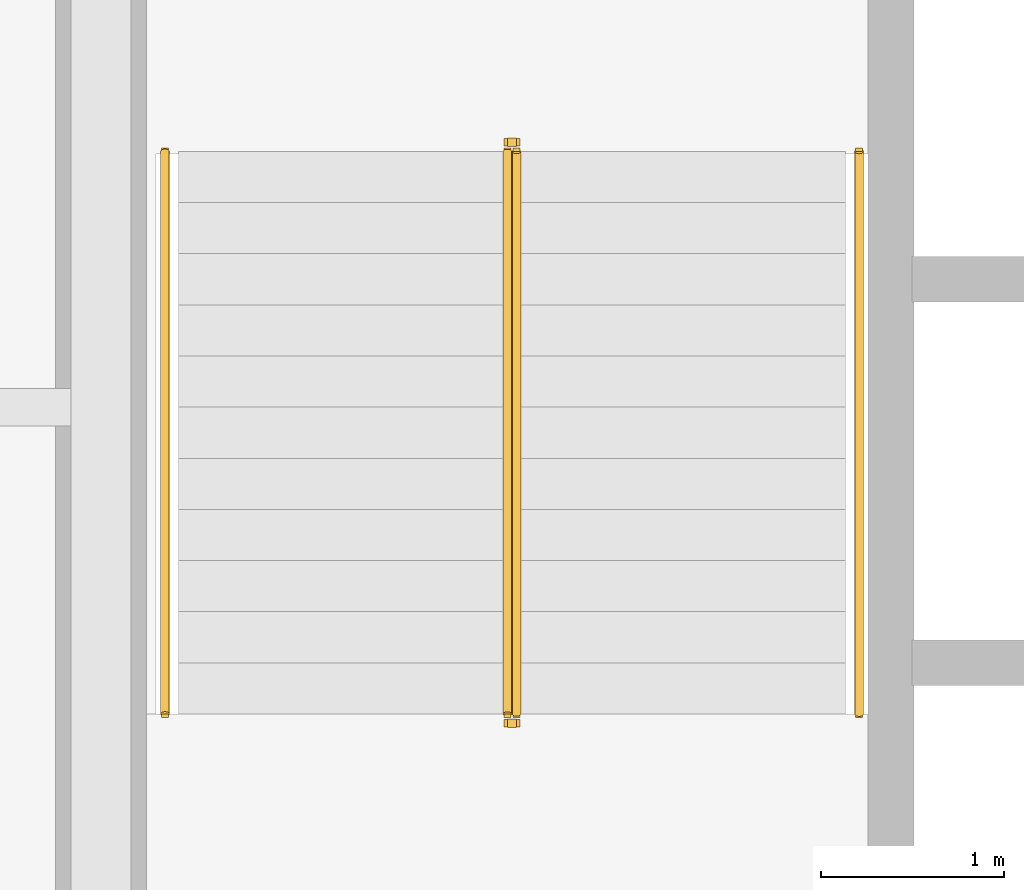
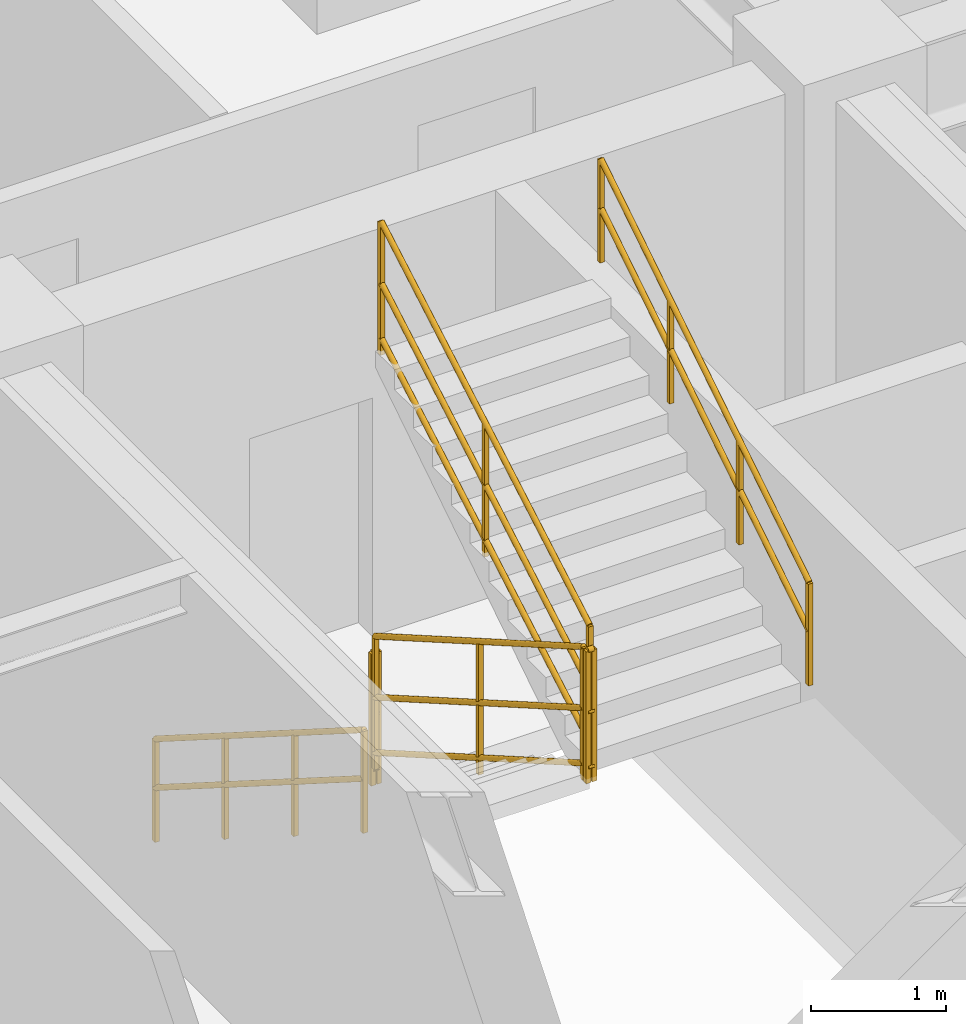
# One storey, part 10 of 10: 6 railings.
"""IFC4 building model written with IfcOpenShell, lengths in metres."""

from ifc_helpers import new_model, entity, si_unit, converted_unit, direction, frame, origin_with_axes, origin_2d_with_axis, place, context, subcontext, project, spatial, rectangle, circle, extrude, material, type_object, element, save


model = new_model("IFC4")

# Units and contexts
model_context = context("Model", 3, precision=1e-05, world=origin_with_axes(), true_north=direction((0.0, 1.0)))
body_context = subcontext(model_context, "Body", "Model", "MODEL_VIEW")
ifc_project = project(units=[si_unit("LENGTHUNIT", "METRE"), si_unit("AREAUNIT", "SQUARE_METRE"), si_unit("VOLUMEUNIT", "CUBIC_METRE"), converted_unit("PLANEANGLEUNIT", "DEGREE", entity("IfcPlaneAngleMeasure", 0.017453292519943295), si_unit("PLANEANGLEUNIT", "RADIAN"), dimensions=[0, 0, 0, 0, 0, 0, 0]), si_unit("MASSUNIT", "GRAM", prefix="KILO"), si_unit("THERMODYNAMICTEMPERATUREUNIT", "KELVIN")], contexts=[model_context])

# Site, building, storey
site_placement = place(None, origin_with_axes())
site = spatial("IfcSite", under=ifc_project, at=site_placement, CompositionType="ELEMENT")
building_placement = place(site_placement, origin_with_axes())
building = spatial("IfcBuilding", under=site, at=building_placement, Name="Varnlund Millrace Tower", CompositionType="ELEMENT")
storey_placement = place(building_placement, frame((0.0, 0.0, 152.4), z_axis=(0.0, 0.0, 1.0), x_axis=(1.0, 0.0, 0.0)))
storey = spatial("IfcBuildingStorey", under=building, at=storey_placement, Name="L37", CompositionType="ELEMENT", Elevation=152.4)

# Railings
ifc_material_1 = material(Name="Painted steel stair well balustrade guard", Category="steel")
railing_type_1 = type_object("IfcRailingType", Name="Type-StairGuard-1150", PredefinedType="GUARDRAIL", material=ifc_material_1)
railing_1_placement = place(storey_placement, frame((0.0, 0.0, -152.4), z_axis=(0.0, 0.0, 1.0), x_axis=(1.0, 0.0, 0.0)))
element("IfcRailing", 1, at=railing_1_placement, inside=storey, type_object=railing_type_1, Name="Type-StairGuard-1150", PredefinedType="GUARDRAIL", context=body_context, shape_type="SweptSolid", body=[
    extrude(circle(Radius=0.024, at=origin_2d_with_axis()), frame((13.625, 35.9, 153.727273), z_axis=(0.0, -0.866696, 0.498836), x_axis=(1.0, 0.0, 0.0)), (0.0, 0.0, 1.0), 3.553725),
    extrude(circle(Radius=0.024, at=origin_2d_with_axis()), frame((13.625, 35.9, 152.677273), z_axis=(0.0, -0.866696, 0.498836), x_axis=(1.0, 0.0, 0.0)), (0.0, 0.0, 1.0), 3.553725),
    extrude(circle(Radius=0.024, at=origin_2d_with_axis()), frame((13.625, 35.9, 153.175273), z_axis=(0.0, -0.866696, 0.498836), x_axis=(1.0, 0.0, 0.0)), (0.0, 0.0, 1.0), 3.553725),
    extrude(rectangle(XDim=0.04, YDim=0.04, at=origin_2d_with_axis()), frame((13.625, 35.9, 152.537273), z_axis=(0.0, 0.0, 1.0), x_axis=(1.0, 0.0, 0.0)), (0.0, 0.0, 1.0), 1.19),
    extrude(rectangle(XDim=0.04, YDim=0.04, at=origin_2d_with_axis()), frame((13.625, 34.36, 153.423637), z_axis=(0.0, 0.0, 1.0), x_axis=(1.0, 0.0, 0.0)), (0.0, 0.0, 1.0), 1.19),
    extrude(rectangle(XDim=0.04, YDim=0.04, at=origin_2d_with_axis()), frame((13.625, 32.82, 154.31), z_axis=(0.0, 0.0, 1.0), x_axis=(1.0, 0.0, 0.0)), (0.0, 0.0, 1.0), 1.19),
])
railing_2_placement = place(storey_placement, frame((0.0, 0.0, -152.4), z_axis=(0.0, 0.0, 1.0), x_axis=(1.0, 0.0, 0.0)))
element("IfcRailing", 2, at=railing_2_placement, inside=storey, type_object=railing_type_1, Name="Type-StairGuard-1150", PredefinedType="GUARDRAIL", context=body_context, shape_type="SweptSolid", body=[
    extrude(circle(Radius=0.024, at=origin_2d_with_axis()), frame((13.675, 32.77, 155.5), z_axis=(-1.0, 0.0, 0.0), x_axis=(0.0, -1.0, 0.0)), (0.0, 0.0, 1.0), 0.05),
    extrude(circle(Radius=0.024, at=origin_2d_with_axis()), frame((13.675, 32.77, 154.45), z_axis=(-1.0, 0.0, 0.0), x_axis=(0.0, -1.0, 0.0)), (0.0, 0.0, 1.0), 0.05),
    extrude(circle(Radius=0.024, at=origin_2d_with_axis()), frame((13.675, 32.77, 154.948), z_axis=(-1.0, 0.0, 0.0), x_axis=(0.0, -1.0, 0.0)), (0.0, 0.0, 1.0), 0.05),
    extrude(rectangle(XDim=0.04, YDim=0.04, at=origin_2d_with_axis()), frame((13.675, 32.77, 154.31), z_axis=(0.0, 0.0, 1.0), x_axis=(1.0, 0.0, 0.0)), (0.0, 0.0, 1.0), 1.19),
    extrude(rectangle(XDim=0.04, YDim=0.04, at=origin_2d_with_axis()), frame((13.625, 32.77, 154.31), z_axis=(0.0, 0.0, 1.0), x_axis=(1.0, 0.0, 0.0)), (0.0, 0.0, 1.0), 1.19),
])
railing_3_placement = place(storey_placement, frame((0.0, 0.0, -152.4), z_axis=(0.0, 0.0, 1.0), x_axis=(1.0, 0.0, 0.0)))
element("IfcRailing", 3, at=railing_3_placement, inside=storey, type_object=railing_type_1, Name="Type-StairGuard-1150", PredefinedType="GUARDRAIL", context=body_context, shape_type="SweptSolid", body=[
    extrude(circle(Radius=0.024, at=origin_2d_with_axis()), frame((13.675, 32.82, 155.677273), z_axis=(0.0, 0.866696, 0.498836), x_axis=(-1.0, 0.0, 0.0)), (0.0, 0.0, 1.0), 3.553725),
    extrude(circle(Radius=0.024, at=origin_2d_with_axis()), frame((13.675, 32.82, 154.627273), z_axis=(0.0, 0.866696, 0.498836), x_axis=(-1.0, 0.0, 0.0)), (0.0, 0.0, 1.0), 3.553725),
    extrude(circle(Radius=0.024, at=origin_2d_with_axis()), frame((13.675, 32.82, 155.125273), z_axis=(0.0, 0.866696, 0.498836), x_axis=(-1.0, 0.0, 0.0)), (0.0, 0.0, 1.0), 3.553725),
    extrude(rectangle(XDim=0.04, YDim=0.04, at=origin_2d_with_axis()), frame((13.675, 32.82, 154.487273), z_axis=(0.0, 0.0, 1.0), x_axis=(1.0, 0.0, 0.0)), (0.0, 0.0, 1.0), 1.19),
    extrude(rectangle(XDim=0.04, YDim=0.04, at=origin_2d_with_axis()), frame((13.675, 34.36, 155.373636), z_axis=(0.0, 0.0, 1.0), x_axis=(1.0, 0.0, 0.0)), (0.0, 0.0, 1.0), 1.19),
    extrude(rectangle(XDim=0.04, YDim=0.04, at=origin_2d_with_axis()), frame((13.675, 35.9, 156.26), z_axis=(0.0, 0.0, 1.0), x_axis=(1.0, 0.0, 0.0)), (0.0, 0.0, 1.0), 1.19),
])
railing_4_placement = place(storey_placement, frame((0.0, 0.0, -152.4), z_axis=(0.0, 0.0, 1.0), x_axis=(1.0, 0.0, 0.0)))
element("IfcRailing", 4, at=railing_4_placement, inside=storey, type_object=railing_type_1, Name="Type-StairGuard-1150", PredefinedType="GUARDRAIL", context=body_context, shape_type="SweptSolid", body=[
    extrude(circle(Radius=0.024, at=origin_2d_with_axis()), frame((13.675, 35.95, 153.55), z_axis=(-1.0, 0.0, 0.0), x_axis=(0.0, -1.0, 0.0)), (0.0, 0.0, 1.0), 0.05),
    extrude(circle(Radius=0.024, at=origin_2d_with_axis()), frame((13.675, 35.95, 152.5), z_axis=(-1.0, 0.0, 0.0), x_axis=(0.0, -1.0, 0.0)), (0.0, 0.0, 1.0), 0.05),
    extrude(circle(Radius=0.024, at=origin_2d_with_axis()), frame((13.675, 35.95, 152.998), z_axis=(-1.0, 0.0, 0.0), x_axis=(0.0, -1.0, 0.0)), (0.0, 0.0, 1.0), 0.05),
    extrude(rectangle(XDim=0.04, YDim=0.04, at=origin_2d_with_axis()), frame((13.675, 35.95, 152.36), z_axis=(0.0, 0.0, 1.0), x_axis=(1.0, 0.0, 0.0)), (0.0, 0.0, 1.0), 1.19),
    extrude(rectangle(XDim=0.04, YDim=0.04, at=origin_2d_with_axis()), frame((13.625, 35.95, 152.36), z_axis=(0.0, 0.0, 1.0), x_axis=(1.0, 0.0, 0.0)), (0.0, 0.0, 1.0), 1.19),
])
ifc_material_2 = material(Name="Brushed architectural bronze stair handrail", Category="aluminium")
railing_type_2 = type_object("IfcRailingType", Name="Type-StairHandrail-900", PredefinedType="HANDRAIL", material=ifc_material_2)
railing_5_placement = place(storey_placement, frame((0.0, 0.0, -152.4), z_axis=(0.0, 0.0, 1.0), x_axis=(1.0, 0.0, 0.0)))
element("IfcRailing", 5, at=railing_5_placement, inside=storey, type_object=railing_type_2, Name="Type-StairHandrail-900", PredefinedType="HANDRAIL", context=body_context, shape_type="SweptSolid", body=[
    extrude(circle(Radius=0.024, at=origin_2d_with_axis()), frame((11.75, 35.9, 153.456995), z_axis=(0.0, -0.844902, 0.534922), x_axis=(1.0, 0.0, 0.0)), (0.0, 0.0, 1.0), 3.645394),
    extrude(circle(Radius=0.024, at=origin_2d_with_axis()), frame((11.75, 35.9, 153.017134), z_axis=(0.0, -0.844902, 0.534922), x_axis=(1.0, 0.0, 0.0)), (0.0, 0.0, 1.0), 3.645394),
    extrude(rectangle(XDim=0.04, YDim=0.04, at=origin_2d_with_axis()), frame((11.75, 35.9, 152.537273), z_axis=(0.0, 0.0, 1.0), x_axis=(1.0, 0.0, 0.0)), (0.0, 0.0, 1.0), 0.919722),
    extrude(rectangle(XDim=0.04, YDim=0.04, at=origin_2d_with_axis()), frame((11.75, 34.873333, 153.187273), z_axis=(0.0, 0.0, 1.0), x_axis=(1.0, 0.0, 0.0)), (0.0, 0.0, 1.0), 0.919722),
    extrude(rectangle(XDim=0.04, YDim=0.04, at=origin_2d_with_axis()), frame((11.75, 33.846667, 153.837273), z_axis=(0.0, 0.0, 1.0), x_axis=(1.0, 0.0, 0.0)), (0.0, 0.0, 1.0), 0.919722),
    extrude(rectangle(XDim=0.04, YDim=0.04, at=origin_2d_with_axis()), frame((11.75, 32.82, 154.487273), z_axis=(0.0, 0.0, 1.0), x_axis=(1.0, 0.0, 0.0)), (0.0, 0.0, 1.0), 0.919722),
])
railing_6_placement = place(storey_placement, frame((0.0, 0.0, -152.4), z_axis=(0.0, 0.0, 1.0), x_axis=(1.0, 0.0, 0.0)))
element("IfcRailing", 6, at=railing_6_placement, inside=storey, type_object=railing_type_2, Name="Type-StairHandrail-900", PredefinedType="HANDRAIL", context=body_context, shape_type="SweptSolid", body=[
    extrude(circle(Radius=0.024, at=origin_2d_with_axis()), frame((15.55, 32.82, 155.406995), z_axis=(0.0, 0.844902, 0.534922), x_axis=(-1.0, 0.0, 0.0)), (0.0, 0.0, 1.0), 3.645394),
    extrude(circle(Radius=0.024, at=origin_2d_with_axis()), frame((15.55, 32.82, 154.967134), z_axis=(0.0, 0.844902, 0.534922), x_axis=(-1.0, 0.0, 0.0)), (0.0, 0.0, 1.0), 3.645394),
    extrude(rectangle(XDim=0.04, YDim=0.04, at=origin_2d_with_axis()), frame((15.55, 32.82, 154.487273), z_axis=(0.0, 0.0, 1.0), x_axis=(1.0, 0.0, 0.0)), (0.0, 0.0, 1.0), 0.919722),
    extrude(rectangle(XDim=0.04, YDim=0.04, at=origin_2d_with_axis()), frame((15.55, 33.846667, 155.137273), z_axis=(0.0, 0.0, 1.0), x_axis=(1.0, 0.0, 0.0)), (0.0, 0.0, 1.0), 0.919722),
    extrude(rectangle(XDim=0.04, YDim=0.04, at=origin_2d_with_axis()), frame((15.55, 34.873333, 155.787273), z_axis=(0.0, 0.0, 1.0), x_axis=(1.0, 0.0, 0.0)), (0.0, 0.0, 1.0), 0.919722),
    extrude(rectangle(XDim=0.04, YDim=0.04, at=origin_2d_with_axis()), frame((15.55, 35.9, 156.437273), z_axis=(0.0, 0.0, 1.0), x_axis=(1.0, 0.0, 0.0)), (0.0, 0.0, 1.0), 0.919722),
])

save(model, "model.ifc")
